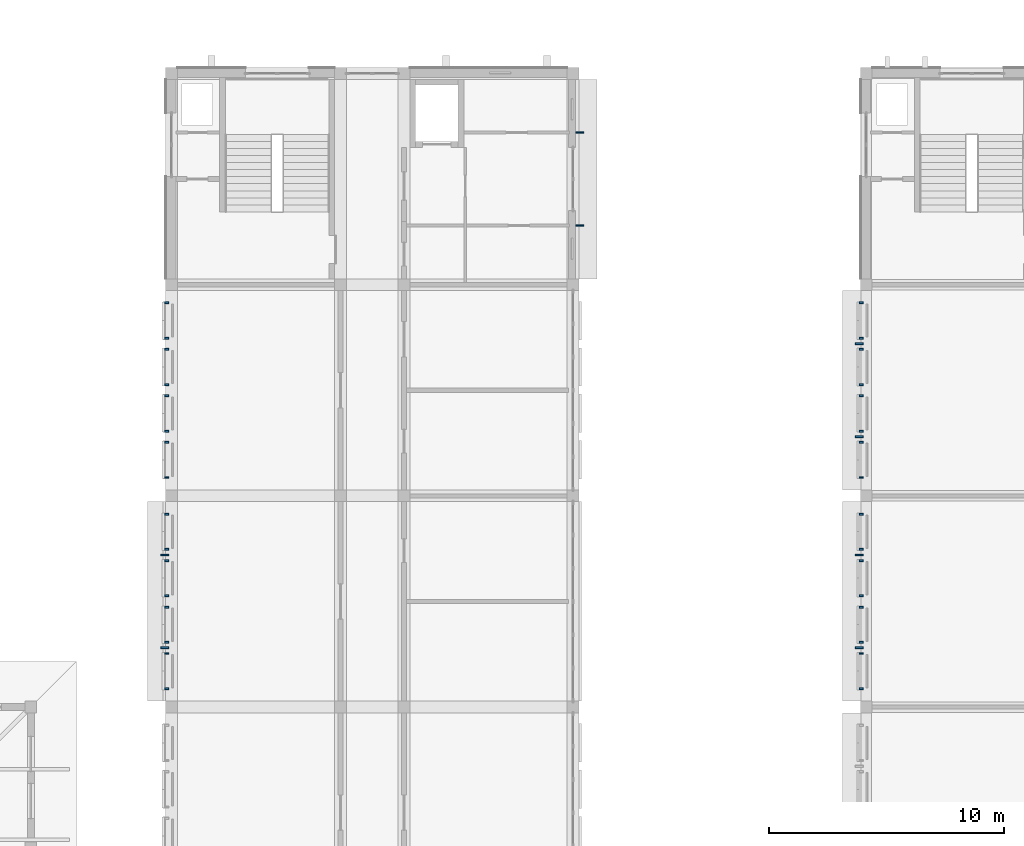
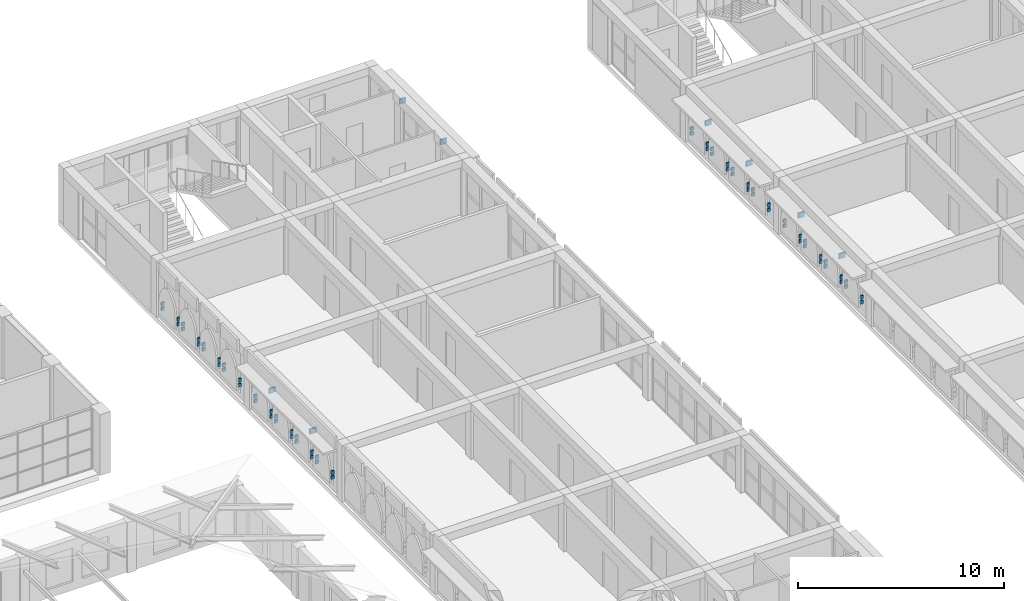
# One storey, part 64 of 82: 72 discrete accessories.
"""IFC4 building model written with IfcOpenShell, lengths in metres."""

from ifc_helpers import new_model, si_unit, direction, frame, origin, origin_2d, place, context, subcontext, project, spatial, rectangle, extrude, material, type_object, element, save


model = new_model("IFC4")

# Units and contexts
model_context = context("Model", 3, precision=1e-05, world=origin(), true_north=direction((0.0, 1.0)))
body_context = subcontext(model_context, "Body", "Model", "MODEL_VIEW")
ifc_project = project(units=[si_unit("LENGTHUNIT", "METRE"), si_unit("AREAUNIT", "SQUARE_METRE"), si_unit("VOLUMEUNIT", "CUBIC_METRE"), si_unit("PLANEANGLEUNIT", "RADIAN"), si_unit("MASSUNIT", "GRAM", prefix="KILO")], contexts=[model_context])

# Site, building, storey
site_placement = place(None, origin())
site = spatial("IfcSite", under=ifc_project, at=site_placement, CompositionType="ELEMENT")
building_placement = place(site_placement, origin())
building = spatial("IfcBuilding", under=site, at=building_placement, Name="Elbe Cascade School", CompositionType="ELEMENT")
storey_placement = place(building_placement, frame((0.0, 0.0, 4.5)))
storey = spatial("IfcBuildingStorey", under=building, at=storey_placement, Name="L01", CompositionType="ELEMENT", Elevation=4.5)

# Discrete accessories
ifc_material = material(Name="Steel S355J2, hot-dip galvanised", Category="steel")
discrete_accessory_type = type_object("IfcDiscreteAccessoryType", Name="Bars envelope Bracket, galvanised steel", PredefinedType="BRACKET", material=ifc_material)
for number, where, z_axis, x_axis, name in (
    (1, (68.705078125, 35.52001953125, 2.43017578125), (0.0, 0.0, 1.0), (0.0, 1.0, 0.0), "Bracket AC7 eave.w.4.br1"),
    (2, (68.705078125, 39.47998046875, 2.43017578125), (0.0, 0.0, 1.0), (0.0, 1.0, 0.0), "Bracket AC7 eave.w.4.br2"),
):
    element("IfcDiscreteAccessory", number, at=place(storey_placement, frame(where, z_axis=z_axis, x_axis=x_axis)), inside=storey, type_object=discrete_accessory_type, Name=name, PredefinedType="BRACKET", context=body_context, shape_type="SweptSolid", body=[
        extrude(rectangle(XDim=0.080078125, YDim=0.35009765625, at=origin_2d()), origin(), (0.0, 0.0, 1.0), 0.300048828125),
    ])
for number, where, z_axis, x_axis, name in (
    (3, (68.7900390625, 33.780029296875, 0.75), (0.0, 0.0, 1.0), (0.0, 1.0, 0.0), "Bracket AC7 jali.w.4.br1ll"),
    (4, (68.7900390625, 33.780029296875, 1.0400390625), (0.0, 0.0, 1.0), (0.0, 1.0, 0.0), "Bracket AC7 jali.w.4.br1lu"),
    (5, (68.7900390625, 35.280029296875, 0.75), (0.0, 0.0, 1.0), (0.0, 1.0, 0.0), "Bracket AC7 jali.w.4.br1rl"),
    (6, (68.7900390625, 35.280029296875, 1.0400390625), (0.0, 0.0, 1.0), (0.0, 1.0, 0.0), "Bracket AC7 jali.w.4.br1ru"),
    (7, (68.7900390625, 35.760009765625, 0.75), (0.0, 0.0, 1.0), (0.0, 1.0, 0.0), "Bracket AC7 jali.w.4.br2ll"),
    (8, (68.7900390625, 35.760009765625, 1.0400390625), (0.0, 0.0, 1.0), (0.0, 1.0, 0.0), "Bracket AC7 jali.w.4.br2lu"),
    (9, (68.7900390625, 37.260009765625, 0.75), (0.0, 0.0, 1.0), (0.0, 1.0, 0.0), "Bracket AC7 jali.w.4.br2rl"),
    (10, (68.7900390625, 37.260009765625, 1.0400390625), (0.0, 0.0, 1.0), (0.0, 1.0, 0.0), "Bracket AC7 jali.w.4.br2ru"),
    (11, (68.7900390625, 37.739990234375, 0.75), (0.0, 0.0, 1.0), (0.0, 1.0, 0.0), "Bracket AC7 jali.w.4.br3ll"),
    (12, (68.7900390625, 37.739990234375, 1.0400390625), (0.0, 0.0, 1.0), (0.0, 1.0, 0.0), "Bracket AC7 jali.w.4.br3lu"),
    (13, (68.7900390625, 39.239990234375, 0.75), (0.0, 0.0, 1.0), (0.0, 1.0, 0.0), "Bracket AC7 jali.w.4.br3rl"),
    (14, (68.7900390625, 39.239990234375, 1.0400390625), (0.0, 0.0, 1.0), (0.0, 1.0, 0.0), "Bracket AC7 jali.w.4.br3ru"),
    (15, (68.7900390625, 39.719970703125, 0.75), (0.0, 0.0, 1.0), (0.0, 1.0, 0.0), "Bracket AC7 jali.w.4.br4ll"),
    (16, (68.7900390625, 39.719970703125, 1.0400390625), (0.0, 0.0, 1.0), (0.0, 1.0, 0.0), "Bracket AC7 jali.w.4.br4lu"),
    (17, (68.7900390625, 41.219970703125, 0.75), (0.0, 0.0, 1.0), (0.0, 1.0, 0.0), "Bracket AC7 jali.w.4.br4rl"),
    (18, (68.7900390625, 41.219970703125, 1.0400390625), (0.0, 0.0, 1.0), (0.0, 1.0, 0.0), "Bracket AC7 jali.w.4.br4ru"),
    (19, (68.7900390625, 42.780029296875, 0.75), (0.0, 0.0, 1.0), (0.0, 1.0, 0.0), "Bracket AC7 jali.w.5.br1ll"),
    (20, (68.7900390625, 42.780029296875, 1.0400390625), (0.0, 0.0, 1.0), (0.0, 1.0, 0.0), "Bracket AC7 jali.w.5.br1lu"),
    (21, (68.7900390625, 44.280029296875, 0.75), (0.0, 0.0, 1.0), (0.0, 1.0, 0.0), "Bracket AC7 jali.w.5.br1rl"),
    (22, (68.7900390625, 44.280029296875, 1.0400390625), (0.0, 0.0, 1.0), (0.0, 1.0, 0.0), "Bracket AC7 jali.w.5.br1ru"),
    (23, (68.7900390625, 44.760009765625, 0.75), (0.0, 0.0, 1.0), (0.0, 1.0, 0.0), "Bracket AC7 jali.w.5.br2ll"),
    (24, (68.7900390625, 44.760009765625, 1.0400390625), (0.0, 0.0, 1.0), (0.0, 1.0, 0.0), "Bracket AC7 jali.w.5.br2lu"),
    (25, (68.7900390625, 46.260009765625, 0.75), (0.0, 0.0, 1.0), (0.0, 1.0, 0.0), "Bracket AC7 jali.w.5.br2rl"),
    (26, (68.7900390625, 46.260009765625, 1.0400390625), (0.0, 0.0, 1.0), (0.0, 1.0, 0.0), "Bracket AC7 jali.w.5.br2ru"),
    (27, (68.7900390625, 46.739990234375, 0.75), (0.0, 0.0, 1.0), (0.0, 1.0, 0.0), "Bracket AC7 jali.w.5.br3ll"),
    (28, (68.7900390625, 46.739990234375, 1.0400390625), (0.0, 0.0, 1.0), (0.0, 1.0, 0.0), "Bracket AC7 jali.w.5.br3lu"),
    (29, (68.7900390625, 48.239990234375, 0.75), (0.0, 0.0, 1.0), (0.0, 1.0, 0.0), "Bracket AC7 jali.w.5.br3rl"),
    (30, (68.7900390625, 48.239990234375, 1.0400390625), (0.0, 0.0, 1.0), (0.0, 1.0, 0.0), "Bracket AC7 jali.w.5.br3ru"),
    (31, (68.7900390625, 48.719970703125, 0.75), (0.0, 0.0, 1.0), (0.0, 1.0, 0.0), "Bracket AC7 jali.w.5.br4ll"),
    (32, (68.7900390625, 48.719970703125, 1.0400390625), (0.0, 0.0, 1.0), (0.0, 1.0, 0.0), "Bracket AC7 jali.w.5.br4lu"),
    (33, (68.7900390625, 50.219970703125, 0.75), (0.0, 0.0, 1.0), (0.0, 1.0, 0.0), "Bracket AC7 jali.w.5.br4rl"),
    (34, (68.7900390625, 50.219970703125, 1.0400390625), (0.0, 0.0, 1.0), (0.0, 1.0, 0.0), "Bracket AC7 jali.w.5.br4ru"),
):
    element("IfcDiscreteAccessory", number, at=place(storey_placement, frame(where, z_axis=z_axis, x_axis=x_axis)), inside=storey, type_object=discrete_accessory_type, Name=name, PredefinedType="BRACKET", context=body_context, shape_type="SweptSolid", body=[
        extrude(rectangle(XDim=0.080078125, YDim=0.179931640625, at=origin_2d()), origin(), (0.0, 0.0, 1.0), 0.199951171875),
    ])
for number, where, z_axis, x_axis, name in (
    (35, (86.39501953125, 53.52001953125, 2.43017578125), (0.0, 0.0, 1.0), (0.0, 1.0, 0.0), "Bracket AC7 eave.e.6.br1"),
    (36, (86.39501953125, 57.47998046875, 2.43017578125), (0.0, 0.0, 1.0), (0.0, 1.0, 0.0), "Bracket AC7 eave.e.6.br2"),
    (37, (98.304931640625, 35.52001953125, 2.43017578125), (0.0, 0.0, 1.0), (0.0, 1.0, 0.0), "Bracket AC7 eave.w.4.br1"),
    (38, (98.304931640625, 39.47998046875, 2.43017578125), (0.0, 0.0, 1.0), (0.0, 1.0, 0.0), "Bracket AC7 eave.w.4.br2"),
):
    element("IfcDiscreteAccessory", number, at=place(storey_placement, frame(where, z_axis=z_axis, x_axis=x_axis)), inside=storey, type_object=discrete_accessory_type, Name=name, PredefinedType="BRACKET", context=body_context, shape_type="SweptSolid", body=[
        extrude(rectangle(XDim=0.080078125, YDim=0.35009765625, at=origin_2d()), origin(), (0.0, 0.0, 1.0), 0.300048828125),
    ])
for number, where, z_axis, x_axis, name in (
    (39, (98.389892578125, 33.780029296875, 0.75), (0.0, 0.0, 1.0), (0.0, 1.0, 0.0), "Bracket AC7 jali.w.4.br1ll"),
    (40, (98.389892578125, 33.780029296875, 1.0400390625), (0.0, 0.0, 1.0), (0.0, 1.0, 0.0), "Bracket AC7 jali.w.4.br1lu"),
    (41, (98.389892578125, 35.280029296875, 0.75), (0.0, 0.0, 1.0), (0.0, 1.0, 0.0), "Bracket AC7 jali.w.4.br1rl"),
    (42, (98.389892578125, 35.280029296875, 1.0400390625), (0.0, 0.0, 1.0), (0.0, 1.0, 0.0), "Bracket AC7 jali.w.4.br1ru"),
    (43, (98.389892578125, 35.760009765625, 0.75), (0.0, 0.0, 1.0), (0.0, 1.0, 0.0), "Bracket AC7 jali.w.4.br2ll"),
    (44, (98.389892578125, 35.760009765625, 1.0400390625), (0.0, 0.0, 1.0), (0.0, 1.0, 0.0), "Bracket AC7 jali.w.4.br2lu"),
    (45, (98.389892578125, 37.260009765625, 0.75), (0.0, 0.0, 1.0), (0.0, 1.0, 0.0), "Bracket AC7 jali.w.4.br2rl"),
    (46, (98.389892578125, 37.260009765625, 1.0400390625), (0.0, 0.0, 1.0), (0.0, 1.0, 0.0), "Bracket AC7 jali.w.4.br2ru"),
    (47, (98.389892578125, 37.739990234375, 0.75), (0.0, 0.0, 1.0), (0.0, 1.0, 0.0), "Bracket AC7 jali.w.4.br3ll"),
    (48, (98.389892578125, 37.739990234375, 1.0400390625), (0.0, 0.0, 1.0), (0.0, 1.0, 0.0), "Bracket AC7 jali.w.4.br3lu"),
    (49, (98.389892578125, 39.239990234375, 0.75), (0.0, 0.0, 1.0), (0.0, 1.0, 0.0), "Bracket AC7 jali.w.4.br3rl"),
    (50, (98.389892578125, 39.239990234375, 1.0400390625), (0.0, 0.0, 1.0), (0.0, 1.0, 0.0), "Bracket AC7 jali.w.4.br3ru"),
    (51, (98.389892578125, 39.719970703125, 0.75), (0.0, 0.0, 1.0), (0.0, 1.0, 0.0), "Bracket AC7 jali.w.4.br4ll"),
    (52, (98.389892578125, 39.719970703125, 1.0400390625), (0.0, 0.0, 1.0), (0.0, 1.0, 0.0), "Bracket AC7 jali.w.4.br4lu"),
    (53, (98.389892578125, 41.219970703125, 0.75), (0.0, 0.0, 1.0), (0.0, 1.0, 0.0), "Bracket AC7 jali.w.4.br4rl"),
    (54, (98.389892578125, 41.219970703125, 1.0400390625), (0.0, 0.0, 1.0), (0.0, 1.0, 0.0), "Bracket AC7 jali.w.4.br4ru"),
):
    element("IfcDiscreteAccessory", number, at=place(storey_placement, frame(where, z_axis=z_axis, x_axis=x_axis)), inside=storey, type_object=discrete_accessory_type, Name=name, PredefinedType="BRACKET", context=body_context, shape_type="SweptSolid", body=[
        extrude(rectangle(XDim=0.080078125, YDim=0.179931640625, at=origin_2d()), origin(), (0.0, 0.0, 1.0), 0.199951171875),
    ])
for number, where, z_axis, x_axis, name in (
    (55, (98.304931640625, 44.52001953125, 2.43017578125), (0.0, 0.0, 1.0), (0.0, 1.0, 0.0), "Bracket AC7 eave.w.5.br1"),
    (56, (98.304931640625, 48.47998046875, 2.43017578125), (0.0, 0.0, 1.0), (0.0, 1.0, 0.0), "Bracket AC7 eave.w.5.br2"),
):
    element("IfcDiscreteAccessory", number, at=place(storey_placement, frame(where, z_axis=z_axis, x_axis=x_axis)), inside=storey, type_object=discrete_accessory_type, Name=name, PredefinedType="BRACKET", context=body_context, shape_type="SweptSolid", body=[
        extrude(rectangle(XDim=0.080078125, YDim=0.35009765625, at=origin_2d()), origin(), (0.0, 0.0, 1.0), 0.300048828125),
    ])
for number, where, z_axis, x_axis, name in (
    (57, (98.389892578125, 42.780029296875, 0.75), (0.0, 0.0, 1.0), (0.0, 1.0, 0.0), "Bracket AC7 jali.w.5.br1ll"),
    (58, (98.389892578125, 42.780029296875, 1.0400390625), (0.0, 0.0, 1.0), (0.0, 1.0, 0.0), "Bracket AC7 jali.w.5.br1lu"),
    (59, (98.389892578125, 44.280029296875, 0.75), (0.0, 0.0, 1.0), (0.0, 1.0, 0.0), "Bracket AC7 jali.w.5.br1rl"),
    (60, (98.389892578125, 44.280029296875, 1.0400390625), (0.0, 0.0, 1.0), (0.0, 1.0, 0.0), "Bracket AC7 jali.w.5.br1ru"),
    (61, (98.389892578125, 44.760009765625, 0.75), (0.0, 0.0, 1.0), (0.0, 1.0, 0.0), "Bracket AC7 jali.w.5.br2ll"),
    (62, (98.389892578125, 44.760009765625, 1.0400390625), (0.0, 0.0, 1.0), (0.0, 1.0, 0.0), "Bracket AC7 jali.w.5.br2lu"),
    (63, (98.389892578125, 46.260009765625, 0.75), (0.0, 0.0, 1.0), (0.0, 1.0, 0.0), "Bracket AC7 jali.w.5.br2rl"),
    (64, (98.389892578125, 46.260009765625, 1.0400390625), (0.0, 0.0, 1.0), (0.0, 1.0, 0.0), "Bracket AC7 jali.w.5.br2ru"),
    (65, (98.389892578125, 46.739990234375, 0.75), (0.0, 0.0, 1.0), (0.0, 1.0, 0.0), "Bracket AC7 jali.w.5.br3ll"),
    (66, (98.389892578125, 46.739990234375, 1.0400390625), (0.0, 0.0, 1.0), (0.0, 1.0, 0.0), "Bracket AC7 jali.w.5.br3lu"),
    (67, (98.389892578125, 48.239990234375, 0.75), (0.0, 0.0, 1.0), (0.0, 1.0, 0.0), "Bracket AC7 jali.w.5.br3rl"),
    (68, (98.389892578125, 48.239990234375, 1.0400390625), (0.0, 0.0, 1.0), (0.0, 1.0, 0.0), "Bracket AC7 jali.w.5.br3ru"),
    (69, (98.389892578125, 48.719970703125, 0.75), (0.0, 0.0, 1.0), (0.0, 1.0, 0.0), "Bracket AC7 jali.w.5.br4ll"),
    (70, (98.389892578125, 48.719970703125, 1.0400390625), (0.0, 0.0, 1.0), (0.0, 1.0, 0.0), "Bracket AC7 jali.w.5.br4lu"),
    (71, (98.389892578125, 50.219970703125, 0.75), (0.0, 0.0, 1.0), (0.0, 1.0, 0.0), "Bracket AC7 jali.w.5.br4rl"),
    (72, (98.389892578125, 50.219970703125, 1.0400390625), (0.0, 0.0, 1.0), (0.0, 1.0, 0.0), "Bracket AC7 jali.w.5.br4ru"),
):
    element("IfcDiscreteAccessory", number, at=place(storey_placement, frame(where, z_axis=z_axis, x_axis=x_axis)), inside=storey, type_object=discrete_accessory_type, Name=name, PredefinedType="BRACKET", context=body_context, shape_type="SweptSolid", body=[
        extrude(rectangle(XDim=0.080078125, YDim=0.179931640625, at=origin_2d()), origin(), (0.0, 0.0, 1.0), 0.199951171875),
    ])

save(model, "model.ifc")
